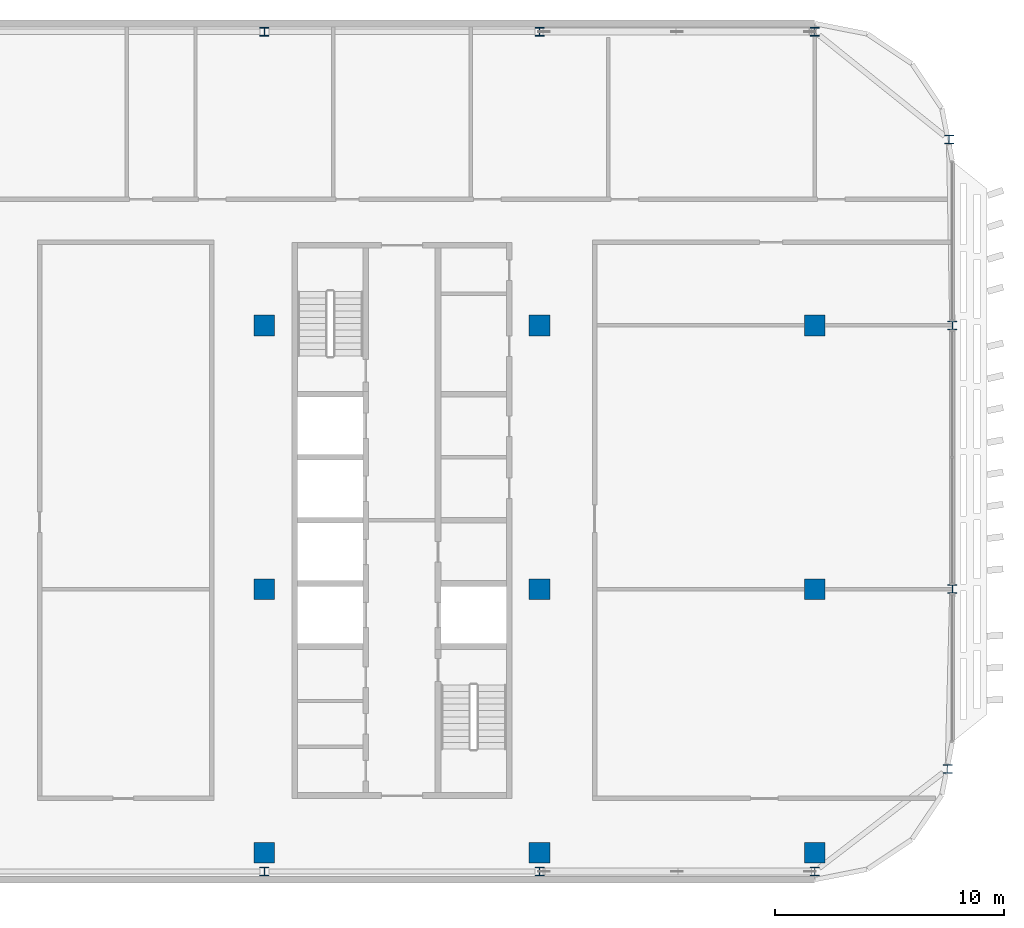
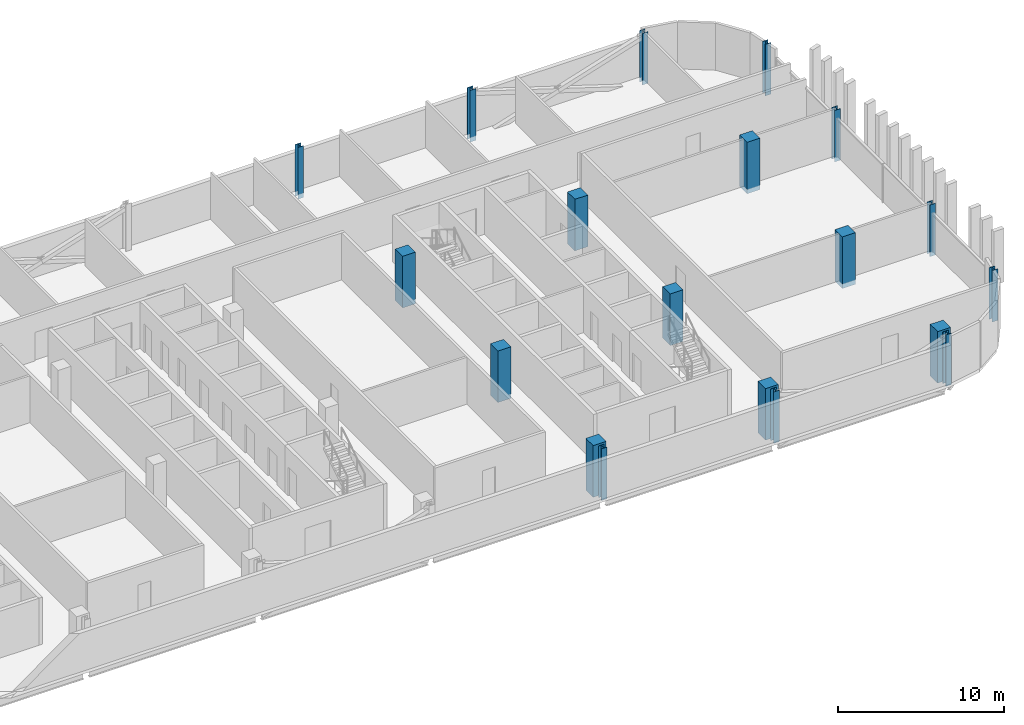
# One storey, part 4 of 25: 19 columns.
"""IFC4 building model written with IfcOpenShell, lengths in metres."""

from ifc_helpers import new_model, si_unit, direction, frame, origin, origin_2d, place, context, subcontext, project, spatial, rectangle, i_section, extrude, material, material_profile, profile_set, type_object, element, save


model = new_model("IFC4")

# Units and contexts
model_context = context("Model", 3, precision=1e-05, world=origin(), true_north=direction((0.0, 1.0)))
body_context = subcontext(model_context, "Body", "Model", "MODEL_VIEW")
ifc_project = project(units=[si_unit("LENGTHUNIT", "METRE"), si_unit("AREAUNIT", "SQUARE_METRE"), si_unit("VOLUMEUNIT", "CUBIC_METRE"), si_unit("PLANEANGLEUNIT", "RADIAN"), si_unit("MASSUNIT", "GRAM", prefix="KILO")], contexts=[model_context])

# Site, building, storey
site_placement = place(None, origin())
site = spatial("IfcSite", under=ifc_project, at=site_placement, CompositionType="ELEMENT")
building_placement = place(site_placement, origin())
building = spatial("IfcBuilding", under=site, at=building_placement, Name="Mahtab Terrace Research Tower", CompositionType="ELEMENT")
storey_placement = place(building_placement, frame((0.0, 0.0, 278.5)))
storey = spatial("IfcBuildingStorey", under=building, at=storey_placement, Name="L68", CompositionType="ELEMENT", Elevation=278.5)

# Columns
ifc_material_1 = material(Name="Concrete C70/85", Category="concrete")
ifc_material_profile_1 = material_profile(ifc_material_1, rectangle(XDim=0.89990234375, YDim=0.89990234375, at=origin_2d()), Name="RC column 900x900")
ifc_profile_set_1 = profile_set([ifc_material_profile_1], Name="Concrete C70/85")
column_type_1 = type_object("IfcColumnType", Name="RC column 900x900", PredefinedType="COLUMN", material=ifc_profile_set_1)
for number, where, z_axis, x_axis, name in (
    (1, (18.0, -11.5, -0.340087890625), (0.0, 0.0, 1.0), (1.0, 0.0, 0.0), "Column RC-6A L68"),
    (2, (18.0, 0.0, -0.340087890625), (0.0, 0.0, 1.0), (1.0, 0.0, 0.0), "Column RC-6B L68"),
    (3, (18.0, 11.5, -0.340087890625), (0.0, 0.0, 1.0), (1.0, 0.0, 0.0), "Column RC-6C L68"),
    (4, (30.0, -11.5, -0.340087890625), (0.0, 0.0, 1.0), (1.0, 0.0, 0.0), "Column RC-7A L68"),
    (5, (30.0, 0.0, -0.340087890625), (0.0, 0.0, 1.0), (1.0, 0.0, 0.0), "Column RC-7B L68"),
    (6, (30.0, 11.5, -0.340087890625), (0.0, 0.0, 1.0), (1.0, 0.0, 0.0), "Column RC-7C L68"),
    (7, (42.0, -11.5, -0.340087890625), (0.0, 0.0, 1.0), (1.0, 0.0, 0.0), "Column RC-8A L68"),
    (8, (42.0, 0.0, -0.340087890625), (0.0, 0.0, 1.0), (1.0, 0.0, 0.0), "Column RC-8B L68"),
    (9, (42.0, 11.5, -0.340087890625), (0.0, 0.0, 1.0), (1.0, 0.0, 0.0), "Column RC-8C L68"),
):
    element("IfcColumn", number, at=place(storey_placement, frame(where, z_axis=z_axis, x_axis=x_axis)), inside=storey, type_object=column_type_1, Name=name, PredefinedType="COLUMN", context=body_context, shape_type="SweptSolid", body=[
        extrude(rectangle(XDim=0.89990234375, YDim=0.89990234375, at=origin_2d()), origin(), (0.0, 0.0, 1.0), 3.800048828125),
    ])
ifc_material_2 = material(Name="Steel ASTM A992 Gr 50", Category="steel")
ifc_material_profile_2 = material_profile(ifc_material_2, i_section(OverallWidth=0.393798828125, OverallDepth=0.3759765625, WebThickness=0.017333984375, FlangeThickness=0.027587890625, at=origin_2d()), Name="W14X145")
ifc_profile_set_2 = profile_set([ifc_material_profile_2], Name="Steel ASTM A992 Gr 50")
column_type_2 = type_object("IfcColumnType", Name="W14x145 column CS14145", PredefinedType="COLUMN", material=ifc_profile_set_2)
for number, where, z_axis, x_axis, name in (
    (10, (47.85693359375, 19.60498046875, -0.340087890625), (0.0, 0.0, 1.0), (1.0, 0.0, 0.0), "Column SC-070 L68"),
    (11, (42.0, 24.306884765625, -0.340087890625), (0.0, 0.0, 1.0), (1.0, 0.0, 0.0), "Column SC-071 L68"),
    (12, (30.0, 24.306884765625, -0.340087890625), (0.0, 0.0, 1.0), (1.0, 0.0, 0.0), "Column SC-072 L68"),
    (13, (18.0, 24.306884765625, -0.340087890625), (0.0, 0.0, 1.0), (1.0, 0.0, 0.0), "Column SC-073 L68"),
    (14, (18.0, -12.306884765625, -0.340087890625), (0.0, 0.0, 1.0), (1.0, 0.0, 0.0), "Column SC-086 L68"),
    (15, (30.0, -12.306884765625, -0.340087890625), (0.0, 0.0, 1.0), (1.0, 0.0, 0.0), "Column SC-087 L68"),
    (16, (42.0, -12.306884765625, -0.340087890625), (0.0, 0.0, 1.0), (1.0, 0.0, 0.0), "Column SC-088 L68"),
    (17, (47.798095703125, -7.847900390625, -0.340087890625), (0.0, 0.0, 1.0), (1.0, 0.0, 0.0), "Column SC-089 L68"),
    (18, (48.0, 0.0, -0.340087890625), (0.0, 0.0, 1.0), (1.0, 0.0, 0.0), "Column SC-021 L68"),
    (19, (48.0, 11.5, -0.340087890625), (0.0, 0.0, 1.0), (1.0, 0.0, 0.0), "Column SC-022 L68"),
):
    element("IfcColumn", number, at=place(storey_placement, frame(where, z_axis=z_axis, x_axis=x_axis)), inside=storey, type_object=column_type_2, Name=name, PredefinedType="COLUMN", context=body_context, shape_type="SweptSolid", body=[
        extrude(i_section(OverallWidth=0.393798828125, OverallDepth=0.3759765625, WebThickness=0.017333984375, FlangeThickness=0.027587890625, at=origin_2d()), origin(), (0.0, 0.0, 1.0), 3.800048828125),
    ])

save(model, "model.ifc")
